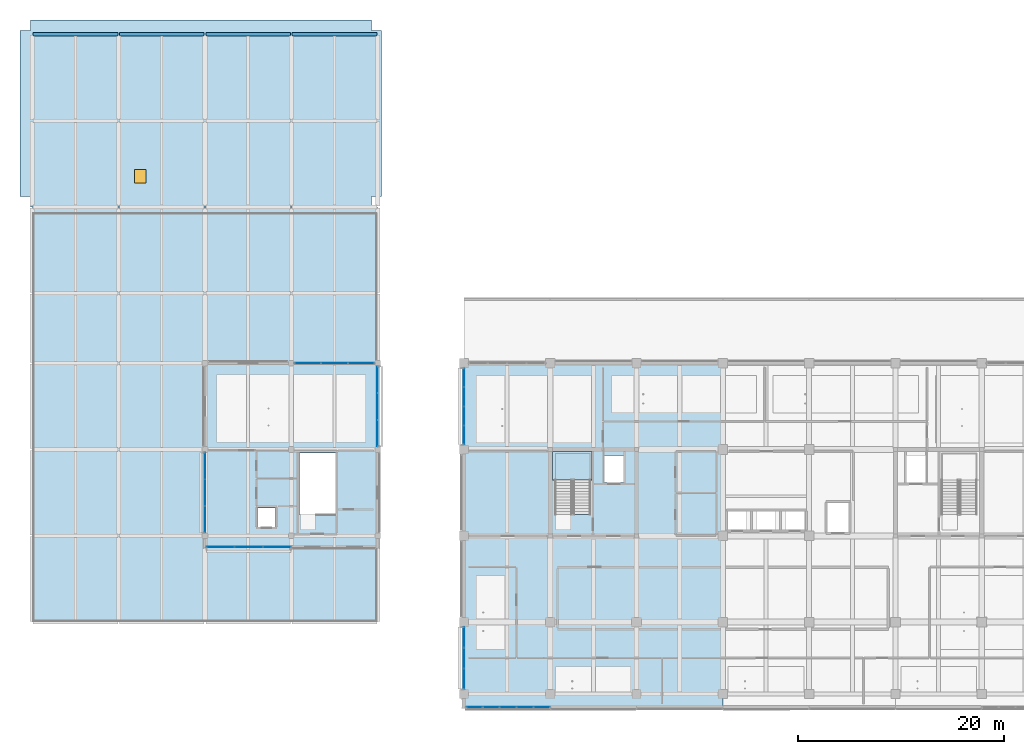
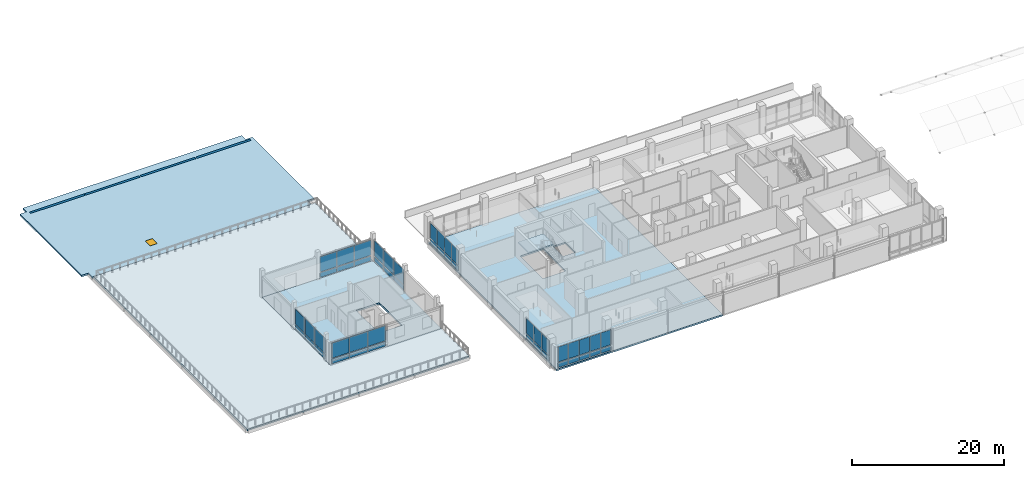
# One storey, part 17 of 59: 48 plates, 5 slabs, 4 beams, 1 window, 1 opening, 8 elements without a shape of their own.
"""IFC4 building model written with IfcOpenShell, lengths in metres."""

from ifc_helpers import new_model, si_unit, direction, frame, origin, origin_2d, place, context, subcontext, project, spatial, polyline, rectangle, outline, extrude, material, layer, layer_set, material_profile, profile_set, type_object, element, fill, aggregate, save


model = new_model("IFC4")

# Units and contexts
model_context = context("Model", 3, precision=1e-05, world=origin(), true_north=direction((0.0, 1.0)))
body_context = subcontext(model_context, "Body", "Model", "MODEL_VIEW")
ifc_project = project(units=[si_unit("LENGTHUNIT", "METRE"), si_unit("AREAUNIT", "SQUARE_METRE"), si_unit("VOLUMEUNIT", "CUBIC_METRE"), si_unit("PLANEANGLEUNIT", "RADIAN"), si_unit("MASSUNIT", "GRAM", prefix="KILO")], contexts=[model_context])

# Site, building, storey
site_placement = place(None, origin())
site = spatial("IfcSite", under=ifc_project, at=site_placement, CompositionType="ELEMENT")
building_placement = place(site_placement, origin())
building = spatial("IfcBuilding", under=site, at=building_placement, Name="Telukmera Botanical Conservatory", CompositionType="ELEMENT")
storey_placement = place(building_placement, frame((0.0, 0.0, 15.0)))
storey = spatial("IfcBuildingStorey", under=building, at=storey_placement, Name="L03", CompositionType="ELEMENT", Elevation=15.0)

# Beams
ifc_material_1 = material(Name="Concrete C40/50", Category="concrete")
ifc_material_profile = material_profile(ifc_material_1, rectangle(XDim=0.35009765625, YDim=0.60009765625, at=origin_2d()), Name="RC 350x600")
ifc_profile_set = profile_set([ifc_material_profile], Name="Concrete C40/50")
beam_type = type_object("IfcBeamType", Name="Beam_B9", PredefinedType="BEAM", material=ifc_profile_set)
beam_1_placement = place(storey_placement, frame((8.47998046875, 74.800048828125, -0.300048828125), z_axis=(1.0, 0.0, 0.0), x_axis=(0.0, 1.0, 0.0)))
element("IfcBeam", 1, at=beam_1_placement, inside=storey, type_object=beam_type, Name="Visitor Wing Grid Beam L03", PredefinedType="BEAM", context=body_context, shape_type="SweptSolid", body=[
    extrude(rectangle(XDim=0.35009765625, YDim=0.60009765625, at=origin_2d()), origin(), (0.0, 0.0, 1.0), 8.239990234375),
])
beam_2_placement = place(storey_placement, frame((16.8798828125, 74.800048828125, -0.300048828125), z_axis=(1.0, 0.0, 0.0), x_axis=(0.0, 1.0, 0.0)))
element("IfcBeam", 2, at=beam_2_placement, inside=storey, type_object=beam_type, Name="Visitor Wing Grid Beam L03", PredefinedType="BEAM", context=body_context, shape_type="SweptSolid", body=[
    extrude(rectangle(XDim=0.35009765625, YDim=0.60009765625, at=origin_2d()), origin(), (0.0, 0.0, 1.0), 8.240234375),
])
for number, where, z_axis, x_axis, name in (
    (3, (25.280029296875, 74.800048828125, -0.300048828125), (1.0, 0.0, 0.0), (0.0, 1.0, 0.0), "Visitor Wing Grid Beam L03"),
    (4, (33.679931640625, 74.800048828125, -0.300048828125), (1.0, 0.0, 0.0), (0.0, 1.0, 0.0), "Visitor Wing Grid Beam L03"),
):
    element("IfcBeam", number, at=place(storey_placement, frame(where, z_axis=z_axis, x_axis=x_axis)), inside=storey, type_object=beam_type, Name=name, PredefinedType="BEAM", context=body_context, shape_type="SweptSolid", body=[
        extrude(rectangle(XDim=0.35009765625, YDim=0.60009765625, at=origin_2d()), origin(), (0.0, 0.0, 1.0), 8.239990234375),
    ])

# Stair, slab
stair_type = type_object("IfcStairType", Name="ST-ESC-4500", PredefinedType="HALF_TURN_STAIR", material=ifc_material_1)
stair_placement = place(storey_placement, origin())
stair = element("IfcStair", 5, at=stair_placement, inside=storey, type_object=stair_type, Name="L03 Protected Escape Stair ST1", PredefinedType="HALF_TURN_STAIR")
ifc_layer_1 = layer(ifc_material_1, 0.199951171875)
ifc_layer_set_1 = layer_set([ifc_layer_1], Name="Concrete C40/50")
slab_type_1 = type_object("IfcSlabType", Name="SL-LAND-200", PredefinedType="LANDING", material=ifc_layer_set_1)
slab_1_placement = place(storey_placement, frame((0.0, 0.0, 2.050048828125)))
slab_1 = element("IfcSlab", 6, at=slab_1_placement, type_object=slab_type_1, Name="ST1 landing 1", PredefinedType="LANDING", context=body_context, shape_type="SweptSolid", body=[
    extrude(outline(polyline([(59.0048828125, 31.449951171875), (62.844970703125, 31.449951171875), (62.844970703125, 34.195068359375), (59.0048828125, 34.195068359375), (59.0048828125, 31.449951171875)])), origin(), (0.0, 0.0, 1.0), 0.199951171875),
])
aggregate(stair, [slab_1])

# Slabs
ifc_layer_2 = layer(ifc_material_1, 0.25)
ifc_layer_set_2 = layer_set([ifc_layer_2], Name="Concrete C40/50")
slab_type_2 = type_object("IfcSlabType", Name="Slab_FS25", PredefinedType="FLOOR", material=ifc_layer_set_2)
slab_2_placement = place(storey_placement, frame((0.0, 0.0, -0.25)))
element("IfcSlab", 7, at=slab_2_placement, inside=storey, type_object=slab_type_2, Name="Tower Floor Slab L03 (WEST)", PredefinedType="FLOOR", context=body_context, shape_type="SweptSolid", body=[
    extrude(outline(polyline([(50.39990234375, 9.199951171875), (75.60009765625, 9.199951171875), (75.60009765625, 42.800048828125), (50.39990234375, 42.800048828125), (50.39990234375, 9.199951171875)]), holes=[polyline([(62.72998046875, 28.093017578125), (62.72998046875, 34.050048828125), (59.25, 34.050048828125), (59.25, 28.093017578125), (62.72998046875, 28.093017578125)]), polyline([(64.080078125, 31.179931640625), (65.919921875, 31.179931640625), (65.919921875, 33.820068359375), (64.080078125, 33.820068359375), (64.080078125, 31.179931640625)])]), origin(), (0.0, 0.0, 1.0), 0.25),
])
slab_3_placement = place(storey_placement, frame((0.0, 0.0, -0.25)))
element("IfcSlab", 8, at=slab_3_placement, inside=storey, type_object=slab_type_2, Name="Visitor Centre L03 Botanical Lounge Floor Slab", PredefinedType="FLOOR", context=body_context, shape_type="SweptSolid", body=[
    extrude(outline(polyline([(25.199951171875, 24.800048828125), (42.0, 24.800048828125), (42.0, 42.800048828125), (25.199951171875, 42.800048828125), (25.199951171875, 24.800048828125)]), holes=[polyline([(37.8798828125, 28.093017578125), (37.8798828125, 34.050048828125), (34.39990234375, 34.050048828125), (34.39990234375, 28.093017578125), (37.8798828125, 28.093017578125)]), polyline([(30.330078125, 26.8798828125), (32.070068359375, 26.8798828125), (32.070068359375, 28.719970703125), (30.330078125, 28.719970703125), (30.330078125, 26.8798828125)])]), origin(), (0.0, 0.0, 1.0), 0.25),
])

# Slab, opening, window
ifc_layer_3 = layer(ifc_material_1, 0.25)
ifc_layer_set_3 = layer_set([ifc_layer_3], Name="Concrete C40/50")
slab_type_3 = type_object("IfcSlabType", Name="Slab_RS25", PredefinedType="ROOF", material=ifc_layer_set_3)
slab_4_placement = place(storey_placement, frame((0.0, 0.0, -0.25)))
slab_4 = element("IfcSlab", 9, at=slab_4_placement, inside=storey, type_object=slab_type_3, Name="Visitor Centre North Monsoon Eave Roof Slab", PredefinedType="ROOF", context=body_context, shape_type="SweptSolid", body=[
    extrude(outline(polyline([(8.199951171875, 58.0), (41.39990234375, 58.0), (41.39990234375, 59.0), (42.39990234375, 59.0), (42.39990234375, 75.199951171875), (41.39990234375, 75.199951171875), (41.39990234375, 76.199951171875), (8.199951171875, 76.199951171875), (8.199951171875, 75.199951171875), (7.199951171875, 75.199951171875), (7.199951171875, 59.0), (8.199951171875, 59.0), (8.199951171875, 58.0)])), origin(), (0.0, 0.0, 1.0), 0.25),
])
opening_placement = place(slab_4_placement, frame((18.89990234375, 61.0, 0.0)))
opening = element("IfcOpeningElement", 10, at=opening_placement, cuts=slab_4, Name="Opening RH02", PredefinedType="OPENING", context=body_context, shape_type="SweptSolid", body=[
    extrude(rectangle(XDim=1.10009765625, YDim=1.300048828125, at=origin_2d()), frame((0.0, 0.0, -0.010009765625)), (0.0, 0.0, 1.0), 0.27001953125),
])
ifc_material_2 = material(Name="Thermally broken anodised aluminium frame with low-E double glazing", Category="aluminium")
window_type = type_object("IfcWindowType", Name="Insulated Podium Roof Maintenance Skylight Hatch 1100x1300", PartitioningType="SINGLE_PANEL", PredefinedType="SKYLIGHT", material=ifc_material_2)
window_placement = place(opening_placement, frame((0.0, 0.0, 0.199951171875)))
window = element("IfcWindow", 11, at=window_placement, inside=storey, type_object=window_type, Name="Visitor North Roof Access Skylight Hatch RH02", OverallHeight=1.300048828125, OverallWidth=1.10009765625, PartitioningType="SINGLE_PANEL", PredefinedType="SKYLIGHT", context=body_context, shape_type="SweptSolid", body=[
    extrude(rectangle(XDim=1.10009765625, YDim=1.300048828125, at=origin_2d()), origin(), (0.0, 0.0, 1.0), 0.050048828125),
])
fill(opening, window)

# Slab
ifc_layer_4 = layer(ifc_material_1, 0.25)
ifc_layer_set_4 = layer_set([ifc_layer_4], Name="Concrete C40/50")
slab_type_4 = type_object("IfcSlabType", Name="Slab_TS25", PredefinedType="FLOOR", material=ifc_layer_set_4)
slab_5_placement = place(storey_placement, frame((0.0, 0.0, -0.25)))
element("IfcSlab", 12, at=slab_5_placement, inside=storey, type_object=slab_type_4, Name="Visitor Centre L03 Planted Roof Terrace Slab", PredefinedType="FLOOR", context=body_context, shape_type="SweptSolid", body=[
    extrude(outline(polyline([(8.39990234375, 17.60009765625), (42.0, 17.60009765625), (42.0, 24.800048828125), (25.199951171875, 24.800048828125), (25.199951171875, 42.800048828125), (42.0, 42.800048828125), (42.0, 58.0), (8.39990234375, 58.0), (8.39990234375, 17.60009765625)])), origin(), (0.0, 0.0, 1.0), 0.25),
])

# Curtain wall, plates
ifc_material_3 = material(Name="Anodised aluminium 6063-T6", Category="aluminium")
ifc_layer_5 = layer(ifc_material_3, 0.179931640625)
ifc_layer_set_5 = layer_set([ifc_layer_5], Name="Anodised aluminium 6063-T6")
curtain_wall_type_1 = type_object("IfcCurtainWallType", Name="Tower Herbarium Curation Corner Curtain Wall", PredefinedType="USERDEFINED", material=ifc_layer_set_5)
curtain_wall_1_placement = place(storey_placement, origin())
curtain_wall_1 = element("IfcCurtainWall", 13, at=curtain_wall_1_placement, inside=storey, type_object=curtain_wall_type_1, Name="Unitised Curtain Wall CW14 V4:L03:S1", ObjectType="UNITISED CURTAIN WALL", PredefinedType="USERDEFINED")
ifc_material_4 = material(Name="Spectrally selective low-E double glazing", Category="glass")
ifc_layer_6 = layer(ifc_material_4, 0.0380859375)
ifc_layer_set_6 = layer_set([ifc_layer_6], Name="Spectrally selective low-E double glazing")
plate_type_1 = type_object("IfcPlateType", Name="Solar Control Fritted Spandrel Glazing Panel 38", PredefinedType="CURTAIN_PANEL", material=ifc_layer_set_6)
plate_1_placement = place(storey_placement, frame((51.428955078125, 9.320068359375, 0.130126953125), z_axis=(0.0, 0.0, 1.0), x_axis=(1.0, 0.0, 0.0)))
plate_1 = element("IfcPlate", 14, at=plate_1_placement, type_object=plate_type_1, Name="CW14 panel 1.1", PredefinedType="CURTAIN_PANEL", context=body_context, shape_type="SweptSolid", body=[
    extrude(rectangle(XDim=1.543701171875, YDim=0.0380859375, at=origin_2d()), origin(), (0.0, 0.0, 1.0), 0.7548828125),
])
plate_2_placement = place(storey_placement, frame((51.428955078125, 9.320068359375, 1.01513671875), z_axis=(0.0, 0.0, 1.0), x_axis=(1.0, 0.0, 0.0)))
plate_2 = element("IfcPlate", 15, at=plate_2_placement, type_object=plate_type_1, Name="CW14 panel 1.2", PredefinedType="CURTAIN_PANEL", context=body_context, shape_type="SweptSolid", body=[
    extrude(rectangle(XDim=1.543701171875, YDim=0.0380859375, at=origin_2d()), origin(), (0.0, 0.0, 1.0), 2.405029296875),
])
plate_3_placement = place(storey_placement, frame((53.0537109375, 9.320068359375, 0.130126953125), z_axis=(0.0, 0.0, 1.0), x_axis=(1.0, 0.0, 0.0)))
plate_3 = element("IfcPlate", 16, at=plate_3_placement, type_object=plate_type_1, Name="CW14 panel 2.1", PredefinedType="CURTAIN_PANEL", context=body_context, shape_type="SweptSolid", body=[
    extrude(rectangle(XDim=1.576171875, YDim=0.0380859375, at=origin_2d()), origin(), (0.0, 0.0, 1.0), 0.7548828125),
])
plate_4_placement = place(storey_placement, frame((53.0537109375, 9.320068359375, 1.01513671875), z_axis=(0.0, 0.0, 1.0), x_axis=(1.0, 0.0, 0.0)))
plate_4 = element("IfcPlate", 17, at=plate_4_placement, type_object=plate_type_1, Name="CW14 panel 2.2", PredefinedType="CURTAIN_PANEL", context=body_context, shape_type="SweptSolid", body=[
    extrude(rectangle(XDim=1.576171875, YDim=0.0380859375, at=origin_2d()), origin(), (0.0, 0.0, 1.0), 2.405029296875),
])
plate_5_placement = place(storey_placement, frame((54.695068359375, 9.320068359375, 0.130126953125), z_axis=(0.0, 0.0, 1.0), x_axis=(1.0, 0.0, 0.0)))
plate_5 = element("IfcPlate", 18, at=plate_5_placement, type_object=plate_type_1, Name="CW14 panel 3.1", PredefinedType="CURTAIN_PANEL", context=body_context, shape_type="SweptSolid", body=[
    extrude(rectangle(XDim=1.576171875, YDim=0.0380859375, at=origin_2d()), origin(), (0.0, 0.0, 1.0), 0.7548828125),
])
plate_6_placement = place(storey_placement, frame((54.695068359375, 9.320068359375, 1.01513671875), z_axis=(0.0, 0.0, 1.0), x_axis=(1.0, 0.0, 0.0)))
plate_6 = element("IfcPlate", 19, at=plate_6_placement, type_object=plate_type_1, Name="CW14 panel 3.2", PredefinedType="CURTAIN_PANEL", context=body_context, shape_type="SweptSolid", body=[
    extrude(rectangle(XDim=1.576171875, YDim=0.0380859375, at=origin_2d()), origin(), (0.0, 0.0, 1.0), 2.405029296875),
])
plate_7_placement = place(storey_placement, frame((56.336181640625, 9.320068359375, 0.130126953125), z_axis=(0.0, 0.0, 1.0), x_axis=(1.0, 0.0, 0.0)))
plate_7 = element("IfcPlate", 20, at=plate_7_placement, type_object=plate_type_1, Name="CW14 panel 4.1", PredefinedType="CURTAIN_PANEL", context=body_context, shape_type="SweptSolid", body=[
    extrude(rectangle(XDim=1.576171875, YDim=0.0380859375, at=origin_2d()), origin(), (0.0, 0.0, 1.0), 0.7548828125),
])
plate_8_placement = place(storey_placement, frame((56.336181640625, 9.320068359375, 1.01513671875), z_axis=(0.0, 0.0, 1.0), x_axis=(1.0, 0.0, 0.0)))
plate_8 = element("IfcPlate", 21, at=plate_8_placement, type_object=plate_type_1, Name="CW14 panel 4.2", PredefinedType="CURTAIN_PANEL", context=body_context, shape_type="SweptSolid", body=[
    extrude(rectangle(XDim=1.576171875, YDim=0.0380859375, at=origin_2d()), origin(), (0.0, 0.0, 1.0), 2.405029296875),
])
plate_9_placement = place(storey_placement, frame((57.961181640625, 9.320068359375, 0.130126953125), z_axis=(0.0, 0.0, 1.0), x_axis=(1.0, 0.0, 0.0)))
plate_9 = element("IfcPlate", 22, at=plate_9_placement, type_object=plate_type_1, Name="CW14 panel 5.1", PredefinedType="CURTAIN_PANEL", context=body_context, shape_type="SweptSolid", body=[
    extrude(rectangle(XDim=1.543701171875, YDim=0.0380859375, at=origin_2d()), origin(), (0.0, 0.0, 1.0), 0.7548828125),
])
plate_10_placement = place(storey_placement, frame((57.961181640625, 9.320068359375, 1.01513671875), z_axis=(0.0, 0.0, 1.0), x_axis=(1.0, 0.0, 0.0)))
plate_10 = element("IfcPlate", 23, at=plate_10_placement, type_object=plate_type_1, Name="CW14 panel 5.2", PredefinedType="CURTAIN_PANEL", context=body_context, shape_type="SweptSolid", body=[
    extrude(rectangle(XDim=1.543701171875, YDim=0.0380859375, at=origin_2d()), origin(), (0.0, 0.0, 1.0), 2.405029296875),
])
aggregate(curtain_wall_1, [plate_1, plate_2, plate_3, plate_4, plate_5, plate_6, plate_7, plate_8, plate_9, plate_10])

curtain_wall_2_placement = place(storey_placement, origin())
curtain_wall_2 = element("IfcCurtainWall", 24, at=curtain_wall_2_placement, inside=storey, type_object=curtain_wall_type_1, Name="Unitised Curtain Wall CW14 V4:L03:W1", ObjectType="UNITISED CURTAIN WALL", PredefinedType="USERDEFINED")
plate_11_placement = place(storey_placement, frame((50.39990234375, 12.084228515625, 0.130126953125), z_axis=(0.0, 0.0, 1.0), x_axis=(0.0, 1.0, 0.0)))
plate_11 = element("IfcPlate", 25, at=plate_11_placement, type_object=plate_type_1, Name="CW14 panel 1.1", PredefinedType="CURTAIN_PANEL", context=body_context, shape_type="SweptSolid", body=[
    extrude(rectangle(XDim=1.9345703125, YDim=0.0380859375, at=origin_2d()), origin(), (0.0, 0.0, 1.0), 0.7548828125),
])
plate_12_placement = place(storey_placement, frame((50.39990234375, 12.084228515625, 1.01513671875), z_axis=(0.0, 0.0, 1.0), x_axis=(0.0, 1.0, 0.0)))
plate_12 = element("IfcPlate", 26, at=plate_12_placement, type_object=plate_type_1, Name="CW14 panel 1.2", PredefinedType="CURTAIN_PANEL", context=body_context, shape_type="SweptSolid", body=[
    extrude(rectangle(XDim=1.9345703125, YDim=0.0380859375, at=origin_2d()), origin(), (0.0, 0.0, 1.0), 2.405029296875),
])
plate_13_placement = place(storey_placement, frame((50.39990234375, 14.10009765625, 0.130126953125), z_axis=(0.0, 0.0, 1.0), x_axis=(0.0, 1.0, 0.0)))
plate_13 = element("IfcPlate", 27, at=plate_13_placement, type_object=plate_type_1, Name="CW14 panel 2.1", PredefinedType="CURTAIN_PANEL", context=body_context, shape_type="SweptSolid", body=[
    extrude(rectangle(XDim=1.967041015625, YDim=0.0380859375, at=origin_2d()), origin(), (0.0, 0.0, 1.0), 0.7548828125),
])
plate_14_placement = place(storey_placement, frame((50.39990234375, 14.10009765625, 1.01513671875), z_axis=(0.0, 0.0, 1.0), x_axis=(0.0, 1.0, 0.0)))
plate_14 = element("IfcPlate", 28, at=plate_14_placement, type_object=plate_type_1, Name="CW14 panel 2.2", PredefinedType="CURTAIN_PANEL", context=body_context, shape_type="SweptSolid", body=[
    extrude(rectangle(XDim=1.967041015625, YDim=0.0380859375, at=origin_2d()), origin(), (0.0, 0.0, 1.0), 2.405029296875),
])
plate_15_placement = place(storey_placement, frame((50.39990234375, 16.11572265625, 0.130126953125), z_axis=(0.0, 0.0, 1.0), x_axis=(0.0, 1.0, 0.0)))
plate_15 = element("IfcPlate", 29, at=plate_15_placement, type_object=plate_type_1, Name="CW14 panel 3.1", PredefinedType="CURTAIN_PANEL", context=body_context, shape_type="SweptSolid", body=[
    extrude(rectangle(XDim=1.9345703125, YDim=0.0380859375, at=origin_2d()), origin(), (0.0, 0.0, 1.0), 0.7548828125),
])
plate_16_placement = place(storey_placement, frame((50.39990234375, 16.11572265625, 1.01513671875), z_axis=(0.0, 0.0, 1.0), x_axis=(0.0, 1.0, 0.0)))
plate_16 = element("IfcPlate", 30, at=plate_16_placement, type_object=plate_type_1, Name="CW14 panel 3.2", PredefinedType="CURTAIN_PANEL", context=body_context, shape_type="SweptSolid", body=[
    extrude(rectangle(XDim=1.9345703125, YDim=0.0380859375, at=origin_2d()), origin(), (0.0, 0.0, 1.0), 2.405029296875),
])
aggregate(curtain_wall_2, [plate_11, plate_12, plate_13, plate_14, plate_15, plate_16])

curtain_wall_3_placement = place(storey_placement, origin())
curtain_wall_3 = element("IfcCurtainWall", 31, at=curtain_wall_3_placement, inside=storey, type_object=curtain_wall_type_1, Name="Unitised Curtain Wall CW14 V4:L03:W4", ObjectType="UNITISED CURTAIN WALL", PredefinedType="USERDEFINED")
plate_17_placement = place(storey_placement, frame((50.39990234375, 35.80517578125, 0.130126953125), z_axis=(0.0, 0.0, 1.0), x_axis=(0.0, 1.0, 0.0)))
plate_17 = element("IfcPlate", 32, at=plate_17_placement, type_object=plate_type_1, Name="CW14 panel 1.1", PredefinedType="CURTAIN_PANEL", context=body_context, shape_type="SweptSolid", body=[
    extrude(rectangle(XDim=1.776611328125, YDim=0.0380859375, at=origin_2d()), origin(), (0.0, 0.0, 1.0), 0.7548828125),
])
plate_18_placement = place(storey_placement, frame((50.39990234375, 35.80517578125, 1.01513671875), z_axis=(0.0, 0.0, 1.0), x_axis=(0.0, 1.0, 0.0)))
plate_18 = element("IfcPlate", 33, at=plate_18_placement, type_object=plate_type_1, Name="CW14 panel 1.2", PredefinedType="CURTAIN_PANEL", context=body_context, shape_type="SweptSolid", body=[
    extrude(rectangle(XDim=1.776611328125, YDim=0.0380859375, at=origin_2d()), origin(), (0.0, 0.0, 1.0), 2.405029296875),
])
plate_19_placement = place(storey_placement, frame((50.39990234375, 37.6630859375, 0.130126953125), z_axis=(0.0, 0.0, 1.0), x_axis=(0.0, 1.0, 0.0)))
plate_19 = element("IfcPlate", 34, at=plate_19_placement, type_object=plate_type_1, Name="CW14 panel 2.1", PredefinedType="CURTAIN_PANEL", context=body_context, shape_type="SweptSolid", body=[
    extrude(rectangle(XDim=1.80908203125, YDim=0.0380859375, at=origin_2d()), origin(), (0.0, 0.0, 1.0), 0.7548828125),
])
plate_20_placement = place(storey_placement, frame((50.39990234375, 37.6630859375, 1.01513671875), z_axis=(0.0, 0.0, 1.0), x_axis=(0.0, 1.0, 0.0)))
plate_20 = element("IfcPlate", 35, at=plate_20_placement, type_object=plate_type_1, Name="CW14 panel 2.2", PredefinedType="CURTAIN_PANEL", context=body_context, shape_type="SweptSolid", body=[
    extrude(rectangle(XDim=1.80908203125, YDim=0.0380859375, at=origin_2d()), origin(), (0.0, 0.0, 1.0), 2.405029296875),
])
plate_21_placement = place(storey_placement, frame((50.39990234375, 39.537109375, 0.130126953125), z_axis=(0.0, 0.0, 1.0), x_axis=(0.0, 1.0, 0.0)))
plate_21 = element("IfcPlate", 36, at=plate_21_placement, type_object=plate_type_1, Name="CW14 panel 3.1", PredefinedType="CURTAIN_PANEL", context=body_context, shape_type="SweptSolid", body=[
    extrude(rectangle(XDim=1.80908203125, YDim=0.0380859375, at=origin_2d()), origin(), (0.0, 0.0, 1.0), 0.7548828125),
])
plate_22_placement = place(storey_placement, frame((50.39990234375, 39.537109375, 1.01513671875), z_axis=(0.0, 0.0, 1.0), x_axis=(0.0, 1.0, 0.0)))
plate_22 = element("IfcPlate", 37, at=plate_22_placement, type_object=plate_type_1, Name="CW14 panel 3.2", PredefinedType="CURTAIN_PANEL", context=body_context, shape_type="SweptSolid", body=[
    extrude(rectangle(XDim=1.80908203125, YDim=0.0380859375, at=origin_2d()), origin(), (0.0, 0.0, 1.0), 2.405029296875),
])
plate_23_placement = place(storey_placement, frame((50.39990234375, 41.394775390625, 0.130126953125), z_axis=(0.0, 0.0, 1.0), x_axis=(0.0, 1.0, 0.0)))
plate_23 = element("IfcPlate", 38, at=plate_23_placement, type_object=plate_type_1, Name="CW14 panel 4.1", PredefinedType="CURTAIN_PANEL", context=body_context, shape_type="SweptSolid", body=[
    extrude(rectangle(XDim=1.776611328125, YDim=0.0380859375, at=origin_2d()), origin(), (0.0, 0.0, 1.0), 0.7548828125),
])
plate_24_placement = place(storey_placement, frame((50.39990234375, 41.394775390625, 1.01513671875), z_axis=(0.0, 0.0, 1.0), x_axis=(0.0, 1.0, 0.0)))
plate_24 = element("IfcPlate", 39, at=plate_24_placement, type_object=plate_type_1, Name="CW14 panel 4.2", PredefinedType="CURTAIN_PANEL", context=body_context, shape_type="SweptSolid", body=[
    extrude(rectangle(XDim=1.776611328125, YDim=0.0380859375, at=origin_2d()), origin(), (0.0, 0.0, 1.0), 2.405029296875),
])
aggregate(curtain_wall_3, [plate_17, plate_18, plate_19, plate_20, plate_21, plate_22, plate_23, plate_24])

ifc_layer_7 = layer(ifc_material_3, 0.179931640625)
ifc_layer_set_7 = layer_set([ifc_layer_7], Name="Anodised aluminium 6063-T6")
curtain_wall_type_2 = type_object("IfcCurtainWallType", Name="Visitor Rooftop Lounge Terrace Curtain Wall", PredefinedType="USERDEFINED", material=ifc_layer_set_7)
curtain_wall_4_placement = place(storey_placement, origin())
curtain_wall_4 = element("IfcCurtainWall", 40, at=curtain_wall_4_placement, inside=storey, type_object=curtain_wall_type_2, Name="Unitised Curtain Wall CW11 V3:L03:S1", ObjectType="UNITISED CURTAIN WALL", PredefinedType="USERDEFINED")
ifc_layer_8 = layer(ifc_material_4, 0.028076171875)
ifc_layer_set_8 = layer_set([ifc_layer_8], Name="Spectrally selective low-E double glazing")
plate_type_2 = type_object("IfcPlateType", Name="Spectrally Selective Vision Double Glazing Panel 28", PredefinedType="CURTAIN_PANEL", material=ifc_layer_set_8)
plate_25_placement = place(storey_placement, frame((26.71630859375, 24.919921875, 0.10986328125), z_axis=(0.0, 0.0, 1.0), x_axis=(1.0, 0.0, 0.0)))
plate_25 = element("IfcPlate", 41, at=plate_25_placement, type_object=plate_type_2, Name="CW11 panel 1.1", PredefinedType="CURTAIN_PANEL", context=body_context, shape_type="SweptSolid", body=[
    extrude(rectangle(XDim=2.668701171875, YDim=0.028076171875, at=origin_2d()), origin(), (0.0, 0.0, 1.0), 0.784912109375),
])
plate_26_placement = place(storey_placement, frame((26.71630859375, 24.919921875, 1.0048828125), z_axis=(0.0, 0.0, 1.0), x_axis=(1.0, 0.0, 0.0)))
plate_26 = element("IfcPlate", 42, at=plate_26_placement, type_object=plate_type_2, Name="CW11 panel 1.2", PredefinedType="CURTAIN_PANEL", context=body_context, shape_type="SweptSolid", body=[
    extrude(rectangle(XDim=2.668701171875, YDim=0.028076171875, at=origin_2d()), origin(), (0.0, 0.0, 1.0), 2.43505859375),
])
plate_27_placement = place(storey_placement, frame((29.4599609375, 24.919921875, 0.10986328125), z_axis=(0.0, 0.0, 1.0), x_axis=(1.0, 0.0, 0.0)))
plate_27 = element("IfcPlate", 43, at=plate_27_placement, type_object=plate_type_2, Name="CW11 panel 2.1", PredefinedType="CURTAIN_PANEL", context=body_context, shape_type="SweptSolid", body=[
    extrude(rectangle(XDim=2.69873046875, YDim=0.028076171875, at=origin_2d()), origin(), (0.0, 0.0, 1.0), 0.784912109375),
])
plate_28_placement = place(storey_placement, frame((29.4599609375, 24.919921875, 1.0048828125), z_axis=(0.0, 0.0, 1.0), x_axis=(1.0, 0.0, 0.0)))
plate_28 = element("IfcPlate", 44, at=plate_28_placement, type_object=plate_type_2, Name="CW11 panel 2.2", PredefinedType="CURTAIN_PANEL", context=body_context, shape_type="SweptSolid", body=[
    extrude(rectangle(XDim=2.69873046875, YDim=0.028076171875, at=origin_2d()), origin(), (0.0, 0.0, 1.0), 2.43505859375),
])
plate_29_placement = place(storey_placement, frame((32.20361328125, 24.919921875, 0.10986328125), z_axis=(0.0, 0.0, 1.0), x_axis=(1.0, 0.0, 0.0)))
plate_29 = element("IfcPlate", 45, at=plate_29_placement, type_object=plate_type_2, Name="CW11 panel 3.1", PredefinedType="CURTAIN_PANEL", context=body_context, shape_type="SweptSolid", body=[
    extrude(rectangle(XDim=2.668701171875, YDim=0.028076171875, at=origin_2d()), origin(), (0.0, 0.0, 1.0), 0.784912109375),
])
plate_30_placement = place(storey_placement, frame((32.20361328125, 24.919921875, 1.0048828125), z_axis=(0.0, 0.0, 1.0), x_axis=(1.0, 0.0, 0.0)))
plate_30 = element("IfcPlate", 46, at=plate_30_placement, type_object=plate_type_2, Name="CW11 panel 3.2", PredefinedType="CURTAIN_PANEL", context=body_context, shape_type="SweptSolid", body=[
    extrude(rectangle(XDim=2.668701171875, YDim=0.028076171875, at=origin_2d()), origin(), (0.0, 0.0, 1.0), 2.43505859375),
])
aggregate(curtain_wall_4, [plate_25, plate_26, plate_27, plate_28, plate_29, plate_30])

curtain_wall_5_placement = place(storey_placement, origin())
curtain_wall_5 = element("IfcCurtainWall", 47, at=curtain_wall_5_placement, inside=storey, type_object=curtain_wall_type_2, Name="Unitised Curtain Wall CW11 V3:L03:N2", ObjectType="UNITISED CURTAIN WALL", PredefinedType="USERDEFINED")
plate_31_placement = place(storey_placement, frame((35.19970703125, 42.800048828125, 0.10986328125), z_axis=(0.0, 0.0, 1.0), x_axis=(1.0, 0.0, 0.0)))
plate_31 = element("IfcPlate", 48, at=plate_31_placement, type_object=plate_type_2, Name="CW11 panel 1.1", PredefinedType="CURTAIN_PANEL", context=body_context, shape_type="SweptSolid", body=[
    extrude(rectangle(XDim=2.525390625, YDim=0.028076171875, at=origin_2d()), origin(), (0.0, 0.0, 1.0), 0.784912109375),
])
plate_32_placement = place(storey_placement, frame((35.19970703125, 42.800048828125, 1.0048828125), z_axis=(0.0, 0.0, 1.0), x_axis=(1.0, 0.0, 0.0)))
plate_32 = element("IfcPlate", 49, at=plate_32_placement, type_object=plate_type_2, Name="CW11 panel 1.2", PredefinedType="CURTAIN_PANEL", context=body_context, shape_type="SweptSolid", body=[
    extrude(rectangle(XDim=2.525390625, YDim=0.028076171875, at=origin_2d()), origin(), (0.0, 0.0, 1.0), 2.43505859375),
])
plate_33_placement = place(storey_placement, frame((37.800048828125, 42.800048828125, 0.10986328125), z_axis=(0.0, 0.0, 1.0), x_axis=(1.0, 0.0, 0.0)))
plate_33 = element("IfcPlate", 50, at=plate_33_placement, type_object=plate_type_2, Name="CW11 panel 2.1", PredefinedType="CURTAIN_PANEL", context=body_context, shape_type="SweptSolid", body=[
    extrude(rectangle(XDim=2.555419921875, YDim=0.028076171875, at=origin_2d()), origin(), (0.0, 0.0, 1.0), 0.784912109375),
])
plate_34_placement = place(storey_placement, frame((37.800048828125, 42.800048828125, 1.0048828125), z_axis=(0.0, 0.0, 1.0), x_axis=(1.0, 0.0, 0.0)))
plate_34 = element("IfcPlate", 51, at=plate_34_placement, type_object=plate_type_2, Name="CW11 panel 2.2", PredefinedType="CURTAIN_PANEL", context=body_context, shape_type="SweptSolid", body=[
    extrude(rectangle(XDim=2.555419921875, YDim=0.028076171875, at=origin_2d()), origin(), (0.0, 0.0, 1.0), 2.43505859375),
])
plate_35_placement = place(storey_placement, frame((40.400390625, 42.800048828125, 0.10986328125), z_axis=(0.0, 0.0, 1.0), x_axis=(1.0, 0.0, 0.0)))
plate_35 = element("IfcPlate", 52, at=plate_35_placement, type_object=plate_type_2, Name="CW11 panel 3.1", PredefinedType="CURTAIN_PANEL", context=body_context, shape_type="SweptSolid", body=[
    extrude(rectangle(XDim=2.525390625, YDim=0.028076171875, at=origin_2d()), origin(), (0.0, 0.0, 1.0), 0.784912109375),
])
plate_36_placement = place(storey_placement, frame((40.400390625, 42.800048828125, 1.0048828125), z_axis=(0.0, 0.0, 1.0), x_axis=(1.0, 0.0, 0.0)))
plate_36 = element("IfcPlate", 53, at=plate_36_placement, type_object=plate_type_2, Name="CW11 panel 3.2", PredefinedType="CURTAIN_PANEL", context=body_context, shape_type="SweptSolid", body=[
    extrude(rectangle(XDim=2.525390625, YDim=0.028076171875, at=origin_2d()), origin(), (0.0, 0.0, 1.0), 2.43505859375),
])
aggregate(curtain_wall_5, [plate_31, plate_32, plate_33, plate_34, plate_35, plate_36])

curtain_wall_6_placement = place(storey_placement, origin())
curtain_wall_6 = element("IfcCurtainWall", 54, at=curtain_wall_6_placement, inside=storey, type_object=curtain_wall_type_2, Name="Unitised Curtain Wall CW11 V3:L03:W1", ObjectType="UNITISED CURTAIN WALL", PredefinedType="USERDEFINED")
plate_37_placement = place(storey_placement, frame((25.199951171875, 27.599609375, 0.10986328125), z_axis=(0.0, 0.0, 1.0), x_axis=(0.0, 1.0, 0.0)))
plate_37 = element("IfcPlate", 55, at=plate_37_placement, type_object=plate_type_2, Name="CW11 panel 1.1", PredefinedType="CURTAIN_PANEL", context=body_context, shape_type="SweptSolid", body=[
    extrude(rectangle(XDim=2.525390625, YDim=0.028076171875, at=origin_2d()), origin(), (0.0, 0.0, 1.0), 0.784912109375),
])
plate_38_placement = place(storey_placement, frame((25.199951171875, 27.599609375, 1.0048828125), z_axis=(0.0, 0.0, 1.0), x_axis=(0.0, 1.0, 0.0)))
plate_38 = element("IfcPlate", 56, at=plate_38_placement, type_object=plate_type_2, Name="CW11 panel 1.2", PredefinedType="CURTAIN_PANEL", context=body_context, shape_type="SweptSolid", body=[
    extrude(rectangle(XDim=2.525390625, YDim=0.028076171875, at=origin_2d()), origin(), (0.0, 0.0, 1.0), 2.43505859375),
])
plate_39_placement = place(storey_placement, frame((25.199951171875, 30.199951171875, 0.10986328125), z_axis=(0.0, 0.0, 1.0), x_axis=(0.0, 1.0, 0.0)))
plate_39 = element("IfcPlate", 57, at=plate_39_placement, type_object=plate_type_2, Name="CW11 panel 2.1", PredefinedType="CURTAIN_PANEL", context=body_context, shape_type="SweptSolid", body=[
    extrude(rectangle(XDim=2.555419921875, YDim=0.028076171875, at=origin_2d()), origin(), (0.0, 0.0, 1.0), 0.784912109375),
])
plate_40_placement = place(storey_placement, frame((25.199951171875, 30.199951171875, 1.0048828125), z_axis=(0.0, 0.0, 1.0), x_axis=(0.0, 1.0, 0.0)))
plate_40 = element("IfcPlate", 58, at=plate_40_placement, type_object=plate_type_2, Name="CW11 panel 2.2", PredefinedType="CURTAIN_PANEL", context=body_context, shape_type="SweptSolid", body=[
    extrude(rectangle(XDim=2.555419921875, YDim=0.028076171875, at=origin_2d()), origin(), (0.0, 0.0, 1.0), 2.43505859375),
])
plate_41_placement = place(storey_placement, frame((25.199951171875, 32.80029296875, 0.10986328125), z_axis=(0.0, 0.0, 1.0), x_axis=(0.0, 1.0, 0.0)))
plate_41 = element("IfcPlate", 59, at=plate_41_placement, type_object=plate_type_2, Name="CW11 panel 3.1", PredefinedType="CURTAIN_PANEL", context=body_context, shape_type="SweptSolid", body=[
    extrude(rectangle(XDim=2.525390625, YDim=0.028076171875, at=origin_2d()), origin(), (0.0, 0.0, 1.0), 0.784912109375),
])
plate_42_placement = place(storey_placement, frame((25.199951171875, 32.80029296875, 1.0048828125), z_axis=(0.0, 0.0, 1.0), x_axis=(0.0, 1.0, 0.0)))
plate_42 = element("IfcPlate", 60, at=plate_42_placement, type_object=plate_type_2, Name="CW11 panel 3.2", PredefinedType="CURTAIN_PANEL", context=body_context, shape_type="SweptSolid", body=[
    extrude(rectangle(XDim=2.525390625, YDim=0.028076171875, at=origin_2d()), origin(), (0.0, 0.0, 1.0), 2.43505859375),
])
aggregate(curtain_wall_6, [plate_37, plate_38, plate_39, plate_40, plate_41, plate_42])

curtain_wall_7_placement = place(storey_placement, origin())
curtain_wall_7 = element("IfcCurtainWall", 61, at=curtain_wall_7_placement, inside=storey, type_object=curtain_wall_type_2, Name="Unitised Curtain Wall CW11 V3:L03:E2", ObjectType="UNITISED CURTAIN WALL", PredefinedType="USERDEFINED")
plate_43_placement = place(storey_placement, frame((42.0, 35.999755859375, 0.10986328125), z_axis=(0.0, 0.0, 1.0), x_axis=(0.0, 1.0, 0.0)))
plate_43 = element("IfcPlate", 62, at=plate_43_placement, type_object=plate_type_2, Name="CW11 panel 1.1", PredefinedType="CURTAIN_PANEL", context=body_context, shape_type="SweptSolid", body=[
    extrude(rectangle(XDim=2.525390625, YDim=0.028076171875, at=origin_2d()), origin(), (0.0, 0.0, 1.0), 0.784912109375),
])
plate_44_placement = place(storey_placement, frame((42.0, 35.999755859375, 1.0048828125), z_axis=(0.0, 0.0, 1.0), x_axis=(0.0, 1.0, 0.0)))
plate_44 = element("IfcPlate", 63, at=plate_44_placement, type_object=plate_type_2, Name="CW11 panel 1.2", PredefinedType="CURTAIN_PANEL", context=body_context, shape_type="SweptSolid", body=[
    extrude(rectangle(XDim=2.525390625, YDim=0.028076171875, at=origin_2d()), origin(), (0.0, 0.0, 1.0), 2.43505859375),
])
plate_45_placement = place(storey_placement, frame((42.0, 38.60009765625, 0.10986328125), z_axis=(0.0, 0.0, 1.0), x_axis=(0.0, 1.0, 0.0)))
plate_45 = element("IfcPlate", 64, at=plate_45_placement, type_object=plate_type_2, Name="CW11 panel 2.1", PredefinedType="CURTAIN_PANEL", context=body_context, shape_type="SweptSolid", body=[
    extrude(rectangle(XDim=2.555419921875, YDim=0.028076171875, at=origin_2d()), origin(), (0.0, 0.0, 1.0), 0.784912109375),
])
plate_46_placement = place(storey_placement, frame((42.0, 38.60009765625, 1.0048828125), z_axis=(0.0, 0.0, 1.0), x_axis=(0.0, 1.0, 0.0)))
plate_46 = element("IfcPlate", 65, at=plate_46_placement, type_object=plate_type_2, Name="CW11 panel 2.2", PredefinedType="CURTAIN_PANEL", context=body_context, shape_type="SweptSolid", body=[
    extrude(rectangle(XDim=2.555419921875, YDim=0.028076171875, at=origin_2d()), origin(), (0.0, 0.0, 1.0), 2.43505859375),
])
plate_47_placement = place(storey_placement, frame((42.0, 41.200439453125, 0.10986328125), z_axis=(0.0, 0.0, 1.0), x_axis=(0.0, 1.0, 0.0)))
plate_47 = element("IfcPlate", 66, at=plate_47_placement, type_object=plate_type_2, Name="CW11 panel 3.1", PredefinedType="CURTAIN_PANEL", context=body_context, shape_type="SweptSolid", body=[
    extrude(rectangle(XDim=2.525390625, YDim=0.028076171875, at=origin_2d()), origin(), (0.0, 0.0, 1.0), 0.784912109375),
])
plate_48_placement = place(storey_placement, frame((42.0, 41.200439453125, 1.0048828125), z_axis=(0.0, 0.0, 1.0), x_axis=(0.0, 1.0, 0.0)))
plate_48 = element("IfcPlate", 67, at=plate_48_placement, type_object=plate_type_2, Name="CW11 panel 3.2", PredefinedType="CURTAIN_PANEL", context=body_context, shape_type="SweptSolid", body=[
    extrude(rectangle(XDim=2.525390625, YDim=0.028076171875, at=origin_2d()), origin(), (0.0, 0.0, 1.0), 2.43505859375),
])
aggregate(curtain_wall_7, [plate_43, plate_44, plate_45, plate_46, plate_47, plate_48])

save(model, "model.ifc")
